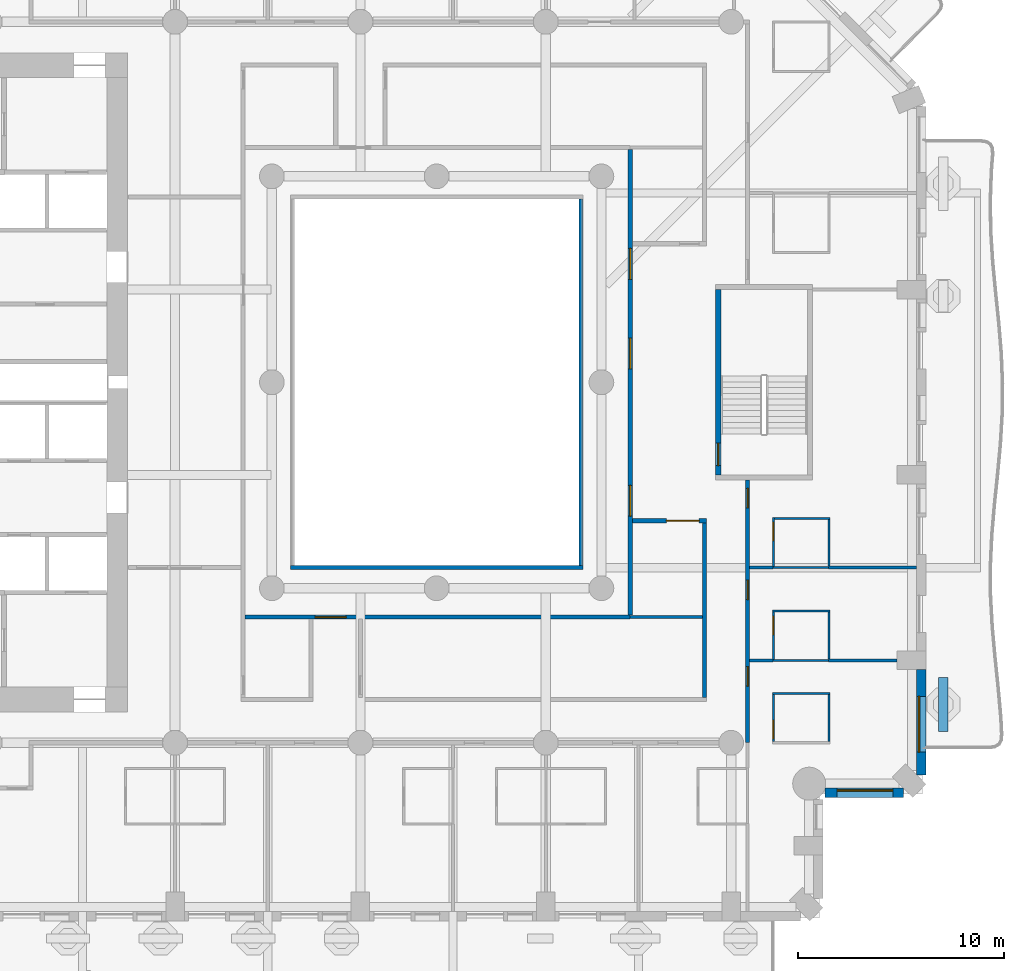
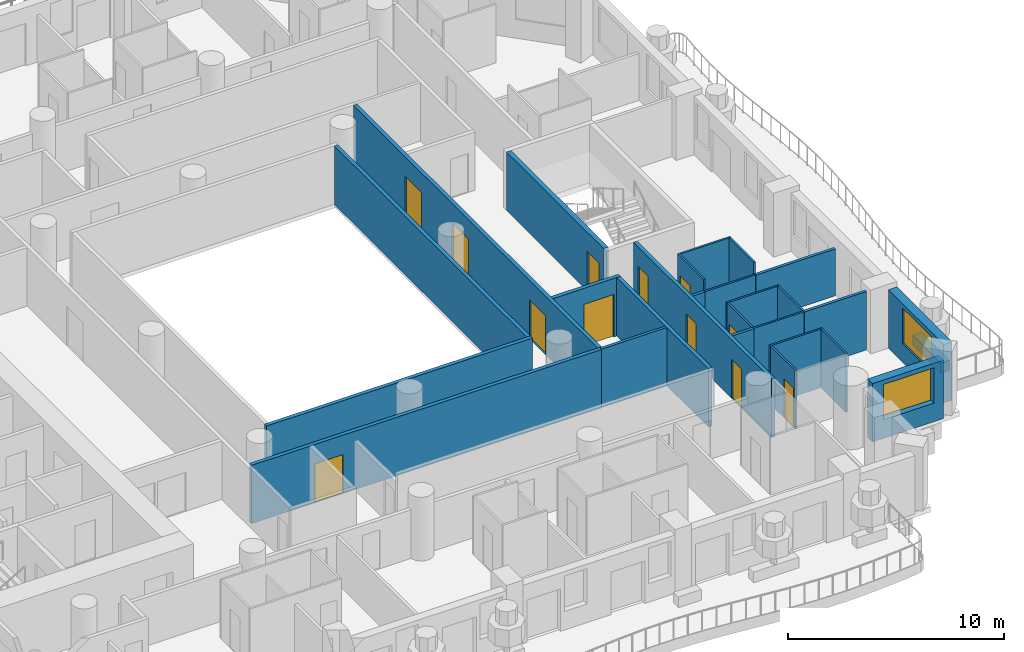
# One storey, part 6 of 20: 27 walls, 12 doors, 2 windows, 14 openings.
"""IFC4 building model written with IfcOpenShell, lengths in metres."""

from ifc_helpers import new_model, si_unit, direction, frame, frame_2d, origin, place, context, subcontext, project, spatial, rectangle, extrude, material, layer, layer_set, type_object, element, fill, save


model = new_model("IFC4")

# Units and contexts
model_context = context("Model", 3, precision=1e-05, world=origin(), true_north=direction((0.0, 1.0)))
body_context = subcontext(model_context, "Body", "Model", "MODEL_VIEW")
ifc_project = project(units=[si_unit("LENGTHUNIT", "METRE"), si_unit("AREAUNIT", "SQUARE_METRE"), si_unit("VOLUMEUNIT", "CUBIC_METRE"), si_unit("PLANEANGLEUNIT", "RADIAN"), si_unit("MASSUNIT", "GRAM", prefix="KILO")], contexts=[model_context])

# Site, building, storey
site_placement = place(None, origin())
site = spatial("IfcSite", under=ifc_project, at=site_placement, CompositionType="ELEMENT")
building_placement = place(site_placement, origin())
building = spatial("IfcBuilding", under=site, at=building_placement, Name="Cypress Arch Tower", CompositionType="ELEMENT")
storey_placement = place(building_placement, frame((0.0, 0.0, 55.5)))
storey = spatial("IfcBuildingStorey", under=building, at=storey_placement, Name="L07", CompositionType="ELEMENT", Elevation=55.5)

# Wall
ifc_material_1 = material(Name="Concrete C40/50, waterproofed", Category="concrete")
ifc_layer_1 = layer(ifc_material_1, 0.449951171875)
ifc_layer_set_1 = layer_set([ifc_layer_1], Name="Balcony planter wall PW450")
wall_type_1 = type_object("IfcWallType", Name="Balcony planter wall PW450", PredefinedType="SOLIDWALL", material=ifc_layer_set_1)
wall_1_placement = place(storey_placement, frame((25.60009765625, -16.949951171875, 0.0), z_axis=(0.0, 0.0, 1.0), x_axis=(0.0, 1.0, 0.0)))
element("IfcWall", 1, at=wall_1_placement, inside=storey, type_object=wall_type_1, Name="Balcony planter wall L07-A06.1", PredefinedType="SOLIDWALL", context=body_context, shape_type="SweptSolid", body=[
    extrude(rectangle(XDim=2.6142578125, YDim=0.449951171875, at=frame_2d((1.30712890625, 0.0))), origin(), (0.0, 0.0, 1.0), 0.60009765625),
])

# Wall, opening, window
ifc_material_2 = material(Name="Brick (red buff blend)", Category="masonry")
ifc_layer_2 = layer(ifc_material_2, 0.449951171875)
ifc_layer_set_2 = layer_set([ifc_layer_2], Name="Brick pier and spandrel wall BW450")
wall_type_2 = type_object("IfcWallType", Name="Brick pier and spandrel wall BW450", PredefinedType="SOLIDWALL", material=ifc_layer_set_2)
wall_2_placement = place(storey_placement, frame((19.8583984375, -19.925048828125, 0.0), z_axis=(0.0, 0.0, 1.0), x_axis=(1.0, 0.0, 0.0)))
wall_2 = element("IfcWall", 2, at=wall_2_placement, inside=storey, type_object=wall_type_2, Name="Brick wall L07 A05.0", PredefinedType="SOLIDWALL", context=body_context, shape_type="SweptSolid", body=[
    extrude(rectangle(XDim=3.80517578125, YDim=0.449951171875, at=frame_2d((1.902587890625, 0.0))), origin(), (0.0, 0.0, 1.0), 3.300048828125),
])
opening_1_placement = place(wall_2_placement, frame((0.591552734375, 0.0, 1.050048828125)))
opening_1 = element("IfcOpeningElement", 3, at=opening_1_placement, cuts=wall_2, Name="Opening W270H", PredefinedType="OPENING", context=body_context, shape_type="SweptSolid", body=[
    extrude(rectangle(XDim=2.699951171875, YDim=2.0, at=frame_2d((1.35009765625, 1.0))), frame((0.0, 0.23486328125, 0.0), z_axis=(0.0, -1.0, 0.0), x_axis=(1.0, 0.0, 0.0)), (0.0, 0.0, 1.0), 0.469970703125),
])
ifc_material_3 = material(Name="Anodised aluminium, bronze finish, clear low-emissivity double glazing", Category="aluminium")
window_type_1 = type_object("IfcWindowType", Name="Window Hotel 2700x2000", PartitioningType="SINGLE_PANEL", PredefinedType="WINDOW", material=ifc_material_3)
window_1_placement = place(opening_1_placement, origin())
window_1 = element("IfcWindow", 4, at=window_1_placement, inside=storey, type_object=window_type_1, Name="Window L07 A05.0.1", OverallHeight=2.0, OverallWidth=2.699951171875, PartitioningType="SINGLE_PANEL", PredefinedType="WINDOW", context=body_context, shape_type="SweptSolid", body=[
    extrude(rectangle(XDim=2.699951171875, YDim=2.0, at=frame_2d((1.35009765625, 1.0))), frame((0.0, 0.135009765625, 0.0), z_axis=(0.0, -1.0, 0.0), x_axis=(1.0, 0.0, 0.0)), (0.0, 0.0, 1.0), 0.06005859375),
])
fill(opening_1, window_1)

wall_3_placement = place(storey_placement, frame((24.52490234375, -19.063720703125, 0.0), z_axis=(0.0, 0.0, 1.0), x_axis=(0.0, 1.0, 0.0)))
wall_3 = element("IfcWall", 5, at=wall_3_placement, inside=storey, type_object=wall_type_2, Name="Brick wall L07 A06.0", PredefinedType="SOLIDWALL", context=body_context, shape_type="SweptSolid", body=[
    extrude(rectangle(XDim=5.11376953125, YDim=0.449951171875, at=frame_2d((2.556884765625, 0.0))), origin(), (0.0, 0.0, 1.0), 3.300048828125),
])
opening_2_placement = place(wall_3_placement, frame((1.113525390625, 0.0, 1.050048828125)))
opening_2 = element("IfcOpeningElement", 6, at=opening_2_placement, cuts=wall_3, Name="Opening W270HD", PredefinedType="OPENING", context=body_context, shape_type="SweptSolid", body=[
    extrude(rectangle(XDim=2.699951171875, YDim=2.0, at=frame_2d((1.35009765625, 1.0))), frame((0.0, 0.23486328125, 0.0), z_axis=(0.0, -1.0, 0.0), x_axis=(1.0, 0.0, 0.0)), (0.0, 0.0, 1.0), 0.469970703125),
])
ifc_material_4 = material(Name="Anodised aluminium, bronze finish, laminated low-emissivity double glazing, large-missile impact rated", Category="aluminium")
window_type_2 = type_object("IfcWindowType", Name="Window Hotel 2700x2000 debris-rated", PartitioningType="SINGLE_PANEL", PredefinedType="WINDOW", material=ifc_material_4)
window_2_placement = place(opening_2_placement, origin())
window_2 = element("IfcWindow", 7, at=window_2_placement, inside=storey, type_object=window_type_2, Name="Window L07 A06.0.1", OverallHeight=2.0, OverallWidth=2.699951171875, PartitioningType="SINGLE_PANEL", PredefinedType="WINDOW", context=body_context, shape_type="SweptSolid", body=[
    extrude(rectangle(XDim=2.699951171875, YDim=2.0, at=frame_2d((1.35009765625, 1.0))), frame((0.0, 0.135009765625, 0.0), z_axis=(0.0, -1.0, 0.0), x_axis=(1.0, 0.0, 0.0)), (0.0, 0.0, 1.0), 0.06005859375),
])
fill(opening_2, window_2)

# Wall, opening, door
ifc_material_5 = material(Name="Concrete blockwork, plastered, rated", Category="masonry")
ifc_layer_3 = layer(ifc_material_5, 0.199951171875)
ifc_layer_set_3 = layer_set([ifc_layer_3], Name="Corridor wall FW200")
wall_type_3 = type_object("IfcWallType", Name="Corridor wall FW200", PredefinedType="PARTITIONING", material=ifc_layer_set_3)
wall_4_placement = place(storey_placement, frame((-8.300048828125, -11.39990234375, 0.0), z_axis=(0.0, 0.0, 1.0), x_axis=(1.0, 0.0, 0.0)))
wall_4 = element("IfcWall", 8, at=wall_4_placement, inside=storey, type_object=wall_type_3, Name="Corridor wall", PredefinedType="PARTITIONING", context=body_context, shape_type="SweptSolid", body=[
    extrude(rectangle(XDim=18.699951171875, YDim=0.199951171875, at=frame_2d((9.35009765625, 0.0))), origin(), (0.0, 0.0, 1.0), 3.300048828125),
])
opening_3_placement = place(wall_4_placement, frame((3.39990234375, 0.0, 0.0)))
opening_3 = element("IfcOpeningElement", 9, at=opening_3_placement, cuts=wall_4, Name="Opening D04", PredefinedType="OPENING", context=body_context, shape_type="SweptSolid", body=[
    extrude(rectangle(XDim=1.5, YDim=2.199951171875, at=frame_2d((0.75, 1.10009765625))), frame((0.0, 0.10986328125, 0.0), z_axis=(0.0, -1.0, 0.0), x_axis=(1.0, 0.0, 0.0)), (0.0, 0.0, 1.0), 0.219970703125),
])
ifc_material_6 = material(Name="Timber double door", Category="wood")
door_type_1 = type_object("IfcDoorType", Name="Double door D04 1500x2200", OperationType="DOUBLE_DOOR_SINGLE_SWING", PredefinedType="DOOR", material=ifc_material_6)
door_1_placement = place(opening_3_placement, origin())
door_1 = element("IfcDoor", 10, at=door_1_placement, inside=storey, type_object=door_type_1, Name="Double door", OperationType="DOUBLE_DOOR_SINGLE_SWING", OverallHeight=2.199951171875, OverallWidth=1.5, PredefinedType="DOOR", context=body_context, shape_type="SweptSolid", body=[
    extrude(rectangle(XDim=1.5, YDim=2.199951171875, at=frame_2d((0.75, 1.10009765625))), frame((0.0, 0.02490234375, 0.0), z_axis=(0.0, -1.0, 0.0), x_axis=(1.0, 0.0, 0.0)), (0.0, 0.0, 1.0), 0.050048828125),
])
fill(opening_3, door_1)

# Walls
wall_5_placement = place(storey_placement, frame((-6.10009765625, -9.0, 0.0), z_axis=(0.0, 0.0, 1.0), x_axis=(1.0, 0.0, 0.0)))
element("IfcWall", 11, at=wall_5_placement, inside=storey, type_object=wall_type_3, Name="Corridor wall", PredefinedType="PARTITIONING", context=body_context, shape_type="SweptSolid", body=[
    extrude(rectangle(XDim=14.2001953125, YDim=0.199951171875, at=frame_2d((7.10009765625, 0.0))), origin(), (0.0, 0.0, 1.0), 3.300048828125),
])
wall_6_placement = place(storey_placement, frame((8.0, -8.89990234375, 0.0), z_axis=(0.0, 0.0, 1.0), x_axis=(0.0, 1.0, 0.0)))
element("IfcWall", 12, at=wall_6_placement, inside=storey, type_object=wall_type_3, Name="Corridor wall", PredefinedType="PARTITIONING", context=body_context, shape_type="SweptSolid", body=[
    extrude(rectangle(XDim=17.7998046875, YDim=0.199951171875, at=frame_2d((8.89990234375, 0.0))), origin(), (0.0, 0.0, 1.0), 3.300048828125),
])

# Wall, openings, doors
wall_7_placement = place(storey_placement, frame((10.39990234375, -11.300048828125, 0.0), z_axis=(0.0, 0.0, 1.0), x_axis=(0.0, 1.0, 0.0)))
wall_7 = element("IfcWall", 13, at=wall_7_placement, inside=storey, type_object=wall_type_3, Name="Corridor wall", PredefinedType="PARTITIONING", context=body_context, shape_type="SweptSolid", body=[
    extrude(rectangle(XDim=22.60009765625, YDim=0.199951171875, at=frame_2d((11.300048828125, 0.0))), origin(), (0.0, 0.0, 1.0), 3.300048828125),
])
opening_4_placement = place(wall_7_placement, frame((4.800048828125, 0.0, 0.0)))
opening_4 = element("IfcOpeningElement", 14, at=opening_4_placement, cuts=wall_7, Name="Opening D04", PredefinedType="OPENING", context=body_context, shape_type="SweptSolid", body=[
    extrude(rectangle(XDim=1.5, YDim=2.199951171875, at=frame_2d((0.75, 1.10009765625))), frame((0.0, 0.10986328125, 0.0), z_axis=(0.0, -1.0, 0.0), x_axis=(1.0, 0.0, 0.0)), (0.0, 0.0, 1.0), 0.219970703125),
])
opening_5_placement = place(wall_7_placement, frame((16.300048828125, 0.0, 0.0)))
opening_5 = element("IfcOpeningElement", 15, at=opening_5_placement, cuts=wall_7, Name="Opening D04", PredefinedType="OPENING", context=body_context, shape_type="SweptSolid", body=[
    extrude(rectangle(XDim=1.5, YDim=2.199951171875, at=frame_2d((0.75, 1.10009765625))), frame((0.0, 0.10986328125, 0.0), z_axis=(0.0, -1.0, 0.0), x_axis=(1.0, 0.0, 0.0)), (0.0, 0.0, 1.0), 0.219970703125),
])
opening_6_placement = place(wall_7_placement, frame((11.949951171875, 0.0, 0.0)))
opening_6 = element("IfcOpeningElement", 16, at=opening_6_placement, cuts=wall_7, Name="Opening D04", PredefinedType="OPENING", context=body_context, shape_type="SweptSolid", body=[
    extrude(rectangle(XDim=1.5, YDim=2.199951171875, at=frame_2d((0.75, 1.10009765625))), frame((0.0, 0.10986328125, 0.0), z_axis=(0.0, -1.0, 0.0), x_axis=(1.0, 0.0, 0.0)), (0.0, 0.0, 1.0), 0.219970703125),
])
door_2_placement = place(opening_4_placement, origin())
door_2 = element("IfcDoor", 17, at=door_2_placement, inside=storey, type_object=door_type_1, Name="Double door", OperationType="DOUBLE_DOOR_SINGLE_SWING", OverallHeight=2.199951171875, OverallWidth=1.5, PredefinedType="DOOR", context=body_context, shape_type="SweptSolid", body=[
    extrude(rectangle(XDim=1.5, YDim=2.199951171875, at=frame_2d((0.75, 1.10009765625))), frame((0.0, 0.02490234375, 0.0), z_axis=(0.0, -1.0, 0.0), x_axis=(1.0, 0.0, 0.0)), (0.0, 0.0, 1.0), 0.050048828125),
])
fill(opening_4, door_2)
door_3_placement = place(opening_5_placement, origin())
door_3 = element("IfcDoor", 18, at=door_3_placement, inside=storey, type_object=door_type_1, Name="Double door", OperationType="DOUBLE_DOOR_SINGLE_SWING", OverallHeight=2.199951171875, OverallWidth=1.5, PredefinedType="DOOR", context=body_context, shape_type="SweptSolid", body=[
    extrude(rectangle(XDim=1.5, YDim=2.199951171875, at=frame_2d((0.75, 1.10009765625))), frame((0.0, 0.02490234375, 0.0), z_axis=(0.0, -1.0, 0.0), x_axis=(1.0, 0.0, 0.0)), (0.0, 0.0, 1.0), 0.050048828125),
])
fill(opening_5, door_3)
door_4_placement = place(opening_6_placement, origin())
door_4 = element("IfcDoor", 19, at=door_4_placement, inside=storey, type_object=door_type_1, Name="Double door", OperationType="DOUBLE_DOOR_SINGLE_SWING", OverallHeight=2.199951171875, OverallWidth=1.5, PredefinedType="DOOR", context=body_context, shape_type="SweptSolid", body=[
    extrude(rectangle(XDim=1.5, YDim=2.199951171875, at=frame_2d((0.75, 1.10009765625))), frame((0.0, 0.02490234375, 0.0), z_axis=(0.0, -1.0, 0.0), x_axis=(1.0, 0.0, 0.0)), (0.0, 0.0, 1.0), 0.050048828125),
])
fill(opening_6, door_4)

# Wall, opening, door
wall_8_placement = place(storey_placement, frame((10.5, -6.72509765625, 0.0), z_axis=(0.0, 0.0, 1.0), x_axis=(1.0, 0.0, 0.0)))
wall_8 = element("IfcWall", 20, at=wall_8_placement, inside=storey, type_object=wall_type_3, Name="Corridor wall", PredefinedType="PARTITIONING", context=body_context, shape_type="SweptSolid", body=[
    extrude(rectangle(XDim=3.60009765625, YDim=0.199951171875, at=frame_2d((1.800048828125, 0.0))), origin(), (0.0, 0.0, 1.0), 3.300048828125),
])
opening_7_placement = place(wall_8_placement, frame((1.64990234375, 0.0, 0.0)))
opening_7 = element("IfcOpeningElement", 21, at=opening_7_placement, cuts=wall_8, Name="Opening D10", PredefinedType="OPENING", context=body_context, shape_type="SweptSolid", body=[
    extrude(rectangle(XDim=1.60009765625, YDim=2.39990234375, at=frame_2d((0.800048828125, 1.199951171875))), frame((0.0, 0.10986328125, 0.0), z_axis=(0.0, -1.0, 0.0), x_axis=(1.0, 0.0, 0.0)), (0.0, 0.0, 1.0), 0.219970703125),
])
ifc_material_7 = material(Name="Black aluminium glazed door", Category="aluminium")
door_type_2 = type_object("IfcDoorType", Name="Amenity door D10 1600x2400", OperationType="DOUBLE_DOOR_SINGLE_SWING", PredefinedType="DOOR", material=ifc_material_7)
door_5_placement = place(opening_7_placement, origin())
door_5 = element("IfcDoor", 22, at=door_5_placement, inside=storey, type_object=door_type_2, Name="Amenity door", OperationType="DOUBLE_DOOR_SINGLE_SWING", OverallHeight=2.39990234375, OverallWidth=1.60009765625, PredefinedType="DOOR", context=body_context, shape_type="SweptSolid", body=[
    extrude(rectangle(XDim=1.60009765625, YDim=2.39990234375, at=frame_2d((0.800048828125, 1.199951171875))), frame((0.0, 0.02490234375, 0.0), z_axis=(0.0, -1.0, 0.0), x_axis=(1.0, 0.0, 0.0)), (0.0, 0.0, 1.0), 0.050048828125),
])
fill(opening_7, door_5)

# Wall
wall_9_placement = place(storey_placement, frame((14.0, -15.300048828125, 0.0), z_axis=(0.0, 0.0, 1.0), x_axis=(0.0, 1.0, 0.0)))
element("IfcWall", 23, at=wall_9_placement, inside=storey, type_object=wall_type_3, Name="Corridor wall", PredefinedType="PARTITIONING", context=body_context, shape_type="SweptSolid", body=[
    extrude(rectangle(XDim=8.47509765625, YDim=0.199951171875, at=frame_2d((4.237548828125, 0.0))), origin(), (0.0, 0.0, 1.0), 3.300048828125),
])

# Wall, openings, doors
wall_10_placement = place(storey_placement, frame((16.10009765625, -17.5, 0.0), z_axis=(0.0, 0.0, 1.0), x_axis=(0.0, 1.0, 0.0)))
wall_10 = element("IfcWall", 24, at=wall_10_placement, inside=storey, type_object=wall_type_3, Name="Corridor wall", PredefinedType="PARTITIONING", context=body_context, shape_type="SweptSolid", body=[
    extrude(rectangle(XDim=12.75, YDim=0.199951171875, at=frame_2d((6.375, 0.0))), origin(), (0.0, 0.0, 1.0), 3.300048828125),
])
opening_8_placement = place(wall_10_placement, frame((2.75, 0.0, 0.0)))
opening_8 = element("IfcOpeningElement", 25, at=opening_8_placement, cuts=wall_10, Name="Opening D02", PredefinedType="OPENING", context=body_context, shape_type="SweptSolid", body=[
    extrude(rectangle(XDim=0.949951171875, YDim=2.199951171875, at=frame_2d((0.47509765625, 1.10009765625))), frame((0.0, 0.10986328125, 0.0), z_axis=(0.0, -1.0, 0.0), x_axis=(1.0, 0.0, 0.0)), (0.0, 0.0, 1.0), 0.219970703125),
])
opening_9_placement = place(wall_10_placement, frame((6.949951171875, 0.0, 0.0)))
opening_9 = element("IfcOpeningElement", 26, at=opening_9_placement, cuts=wall_10, Name="Opening D02", PredefinedType="OPENING", context=body_context, shape_type="SweptSolid", body=[
    extrude(rectangle(XDim=0.949951171875, YDim=2.199951171875, at=frame_2d((0.47509765625, 1.10009765625))), frame((0.0, 0.10986328125, 0.0), z_axis=(0.0, -1.0, 0.0), x_axis=(1.0, 0.0, 0.0)), (0.0, 0.0, 1.0), 0.219970703125),
])
opening_10_placement = place(wall_10_placement, frame((11.39990234375, 0.0, 0.0)))
opening_10 = element("IfcOpeningElement", 27, at=opening_10_placement, cuts=wall_10, Name="Opening D02", PredefinedType="OPENING", context=body_context, shape_type="SweptSolid", body=[
    extrude(rectangle(XDim=0.949951171875, YDim=2.199951171875, at=frame_2d((0.47509765625, 1.10009765625))), frame((0.0, 0.10986328125, 0.0), z_axis=(0.0, -1.0, 0.0), x_axis=(1.0, 0.0, 0.0)), (0.0, 0.0, 1.0), 0.219970703125),
])
ifc_material_8 = material(Name="Timber flush door, fire resisting", Category="wood")
door_type_3 = type_object("IfcDoorType", Name="Room door D02 950x2200", OperationType="SINGLE_SWING_LEFT", PredefinedType="DOOR", material=ifc_material_8)
door_6_placement = place(opening_8_placement, origin())
door_6 = element("IfcDoor", 28, at=door_6_placement, inside=storey, type_object=door_type_3, Name="Room door", OperationType="SINGLE_SWING_LEFT", OverallHeight=2.199951171875, OverallWidth=0.949951171875, PredefinedType="DOOR", context=body_context, shape_type="SweptSolid", body=[
    extrude(rectangle(XDim=0.949951171875, YDim=2.199951171875, at=frame_2d((0.47509765625, 1.10009765625))), frame((0.0, 0.02490234375, 0.0), z_axis=(0.0, -1.0, 0.0), x_axis=(1.0, 0.0, 0.0)), (0.0, 0.0, 1.0), 0.050048828125),
])
fill(opening_8, door_6)
door_7_placement = place(opening_9_placement, origin())
door_7 = element("IfcDoor", 29, at=door_7_placement, inside=storey, type_object=door_type_3, Name="Room door", OperationType="SINGLE_SWING_LEFT", OverallHeight=2.199951171875, OverallWidth=0.949951171875, PredefinedType="DOOR", context=body_context, shape_type="SweptSolid", body=[
    extrude(rectangle(XDim=0.949951171875, YDim=2.199951171875, at=frame_2d((0.47509765625, 1.10009765625))), frame((0.0, 0.02490234375, 0.0), z_axis=(0.0, -1.0, 0.0), x_axis=(1.0, 0.0, 0.0)), (0.0, 0.0, 1.0), 0.050048828125),
])
fill(opening_9, door_7)
door_8_placement = place(opening_10_placement, origin())
door_8 = element("IfcDoor", 30, at=door_8_placement, inside=storey, type_object=door_type_3, Name="Room door", OperationType="SINGLE_SWING_LEFT", OverallHeight=2.199951171875, OverallWidth=0.949951171875, PredefinedType="DOOR", context=body_context, shape_type="SweptSolid", body=[
    extrude(rectangle(XDim=0.949951171875, YDim=2.199951171875, at=frame_2d((0.47509765625, 1.10009765625))), frame((0.0, 0.02490234375, 0.0), z_axis=(0.0, -1.0, 0.0), x_axis=(1.0, 0.0, 0.0)), (0.0, 0.0, 1.0), 0.050048828125),
])
fill(opening_10, door_8)

# Walls
ifc_material_9 = material(Name="Blockwork, plastered both sides", Category="masonry")
ifc_layer_4 = layer(ifc_material_9, 0.14990234375)
ifc_layer_set_4 = layer_set([ifc_layer_4], Name="Partition PW150")
wall_type_4 = type_object("IfcWallType", Name="Partition PW150", PredefinedType="PARTITIONING", material=ifc_layer_set_4)
wall_11_placement = place(storey_placement, frame((10.39990234375, -11.39990234375, 0.0), z_axis=(0.0, 0.0, 1.0), x_axis=(1.0, 0.0, 0.0)))
element("IfcWall", 31, at=wall_11_placement, inside=storey, type_object=wall_type_4, Name="Partition", PredefinedType="PARTITIONING", context=body_context, shape_type="SweptSolid", body=[
    extrude(rectangle(XDim=3.5, YDim=0.14990234375, at=frame_2d((1.75, 0.0))), origin(), (0.0, 0.0, 1.0), 3.300048828125),
])
wall_12_placement = place(storey_placement, frame((16.199951171875, -13.5, 0.0), z_axis=(0.0, 0.0, 1.0), x_axis=(1.0, 0.0, 0.0)))
element("IfcWall", 32, at=wall_12_placement, inside=storey, type_object=wall_type_4, Name="Partition", PredefinedType="PARTITIONING", context=body_context, shape_type="SweptSolid", body=[
    extrude(rectangle(XDim=1.130126953125, YDim=0.14990234375, at=frame_2d((0.56494140625, 0.0))), origin(), (0.0, 0.0, 1.0), 3.300048828125),
])
wall_13_placement = place(storey_placement, frame((16.199951171875, -9.0, 0.0), z_axis=(0.0, 0.0, 1.0), x_axis=(1.0, 0.0, 0.0)))
element("IfcWall", 33, at=wall_13_placement, inside=storey, type_object=wall_type_4, Name="Partition", PredefinedType="PARTITIONING", context=body_context, shape_type="SweptSolid", body=[
    extrude(rectangle(XDim=1.130126953125, YDim=0.14990234375, at=frame_2d((0.56494140625, 0.0))), origin(), (0.0, 0.0, 1.0), 2.64990234375),
])
wall_14_placement = place(storey_placement, frame((20.030029296875, -13.5, 0.0), z_axis=(0.0, 0.0, 1.0), x_axis=(1.0, 0.0, 0.0)))
element("IfcWall", 34, at=wall_14_placement, inside=storey, type_object=wall_type_4, Name="Partition", PredefinedType="PARTITIONING", context=body_context, shape_type="SweptSolid", body=[
    extrude(rectangle(XDim=3.320068359375, YDim=0.14990234375, at=frame_2d((1.66015625, 0.0))), origin(), (0.0, 0.0, 1.0), 3.300048828125),
])
wall_15_placement = place(storey_placement, frame((20.030029296875, -9.0, 0.0), z_axis=(0.0, 0.0, 1.0), x_axis=(1.0, 0.0, 0.0)))
element("IfcWall", 35, at=wall_15_placement, inside=storey, type_object=wall_type_4, Name="Partition", PredefinedType="PARTITIONING", context=body_context, shape_type="SweptSolid", body=[
    extrude(rectangle(XDim=4.27001953125, YDim=0.14990234375, at=frame_2d((2.135009765625, 0.0))), origin(), (0.0, 0.0, 1.0), 2.64990234375),
])

# Wall, opening, door
ifc_material_10 = material(Name="Concrete C50/60", Category="concrete")
ifc_layer_5 = layer(ifc_material_10, 0.25)
ifc_layer_set_5 = layer_set([ifc_layer_5], Name="Stair enclosure wall SW250")
wall_type_5 = type_object("IfcWallType", Name="Stair enclosure wall SW250", PredefinedType="SHEAR", material=ifc_layer_set_5)
wall_16_placement = place(storey_placement, frame((14.675048828125, -4.5, 0.0), z_axis=(0.0, 0.0, 1.0), x_axis=(0.0, 1.0, 0.0)))
wall_16 = element("IfcWall", 36, at=wall_16_placement, inside=storey, type_object=wall_type_5, Name="Stair enclosure wall", PredefinedType="SHEAR", context=body_context, shape_type="SweptSolid", body=[
    extrude(rectangle(XDim=9.0, YDim=0.25, at=frame_2d((4.5, 0.0))), origin(), (0.0, 0.0, 1.0), 3.300048828125),
])
opening_11_placement = place(wall_16_placement, frame((0.449951171875, 0.0, 0.0)))
opening_11 = element("IfcOpeningElement", 37, at=opening_11_placement, cuts=wall_16, Name="Opening D06", PredefinedType="OPENING", context=body_context, shape_type="SweptSolid", body=[
    extrude(rectangle(XDim=1.10009765625, YDim=2.199951171875, at=frame_2d((0.550048828125, 1.10009765625))), frame((0.0, 0.135009765625, 0.0), z_axis=(0.0, -1.0, 0.0), x_axis=(1.0, 0.0, 0.0)), (0.0, 0.0, 1.0), 0.27001953125),
])
ifc_material_11 = material(Name="Steel door, fire resisting, panic bar", Category="steel")
door_type_4 = type_object("IfcDoorType", Name="Stair door D06 1100x2200", OperationType="SINGLE_SWING_LEFT", PredefinedType="DOOR", material=ifc_material_11)
door_9_placement = place(opening_11_placement, origin())
door_9 = element("IfcDoor", 38, at=door_9_placement, inside=storey, type_object=door_type_4, Name="Stair door", OperationType="SINGLE_SWING_RIGHT", OverallHeight=2.199951171875, OverallWidth=1.10009765625, PredefinedType="DOOR", context=body_context, shape_type="SweptSolid", body=[
    extrude(rectangle(XDim=1.10009765625, YDim=2.199951171875, at=frame_2d((0.550048828125, 1.10009765625))), frame((0.0, 0.02490234375, 0.0), z_axis=(0.0, -1.0, 0.0), x_axis=(1.0, 0.0, 0.0)), (0.0, 0.0, 1.0), 0.050048828125),
])
fill(opening_11, door_9)

# Walls
ifc_material_12 = material(Name="Moisture resistant board on steel studs, tiled", Category="steel")
ifc_layer_6 = layer(ifc_material_12, 0.10009765625)
ifc_layer_set_6 = layer_set([ifc_layer_6], Name="Wet wall PW100")
wall_type_6 = type_object("IfcWallType", Name="Wet wall PW100", PredefinedType="PARTITIONING", material=ifc_layer_set_6)
wall_17_placement = place(storey_placement, frame((17.330078125, -13.5, 0.0), z_axis=(0.0, 0.0, 1.0), x_axis=(1.0, 0.0, 0.0)))
element("IfcWall", 39, at=wall_17_placement, inside=storey, type_object=wall_type_6, Name="Wet wall", PredefinedType="PARTITIONING", context=body_context, shape_type="SweptSolid", body=[
    extrude(rectangle(XDim=2.699951171875, YDim=0.10009765625, at=frame_2d((1.35009765625, 0.0))), origin(), (0.0, 0.0, 1.0), 3.300048828125),
])
wall_18_placement = place(storey_placement, frame((17.330078125, -9.0, 0.0), z_axis=(0.0, 0.0, 1.0), x_axis=(1.0, 0.0, 0.0)))
element("IfcWall", 40, at=wall_18_placement, inside=storey, type_object=wall_type_6, Name="Wet wall", PredefinedType="PARTITIONING", context=body_context, shape_type="SweptSolid", body=[
    extrude(rectangle(XDim=2.699951171875, YDim=0.10009765625, at=frame_2d((1.35009765625, 0.0))), origin(), (0.0, 0.0, 1.0), 2.64990234375),
])

# Wall, opening, door
wall_19_placement = place(storey_placement, frame((17.35009765625, -17.449951171875, 0.0), z_axis=(0.0, 0.0, 1.0), x_axis=(0.0, 1.0, 0.0)))
wall_19 = element("IfcWall", 41, at=wall_19_placement, inside=storey, type_object=wall_type_6, Name="Wet wall", PredefinedType="PARTITIONING", context=body_context, shape_type="SweptSolid", body=[
    extrude(rectangle(XDim=2.300048828125, YDim=0.10009765625, at=frame_2d((1.14990234375, 0.0))), origin(), (0.0, 0.0, 1.0), 3.300048828125),
])
opening_12_placement = place(wall_19_placement, frame((0.14990234375, 0.0, 0.0)))
opening_12 = element("IfcOpeningElement", 42, at=opening_12_placement, cuts=wall_19, Name="Opening D03", PredefinedType="OPENING", context=body_context, shape_type="SweptSolid", body=[
    extrude(rectangle(XDim=0.89990234375, YDim=2.199951171875, at=frame_2d((0.449951171875, 1.10009765625))), frame((0.0, 0.06005859375, 0.0), z_axis=(0.0, -1.0, 0.0), x_axis=(1.0, 0.0, 0.0)), (0.0, 0.0, 1.0), 0.1201171875),
])
ifc_material_13 = material(Name="Timber flush door, moisture resistant", Category="wood")
door_type_5 = type_object("IfcDoorType", Name="Bathroom door D03 900x2200", OperationType="SINGLE_SWING_LEFT", PredefinedType="DOOR", material=ifc_material_13)
door_10_placement = place(opening_12_placement, origin())
door_10 = element("IfcDoor", 43, at=door_10_placement, inside=storey, type_object=door_type_5, Name="Bathroom door", OperationType="SINGLE_SWING_RIGHT", OverallHeight=2.199951171875, OverallWidth=0.89990234375, PredefinedType="DOOR", context=body_context, shape_type="SweptSolid", body=[
    extrude(rectangle(XDim=0.89990234375, YDim=2.199951171875, at=frame_2d((0.449951171875, 1.10009765625))), frame((0.0, 0.02490234375, 0.0), z_axis=(0.0, -1.0, 0.0), x_axis=(1.0, 0.0, 0.0)), (0.0, 0.0, 1.0), 0.050048828125),
])
fill(opening_12, door_10)

# Wall
wall_20_placement = place(storey_placement, frame((17.300048828125, -15.10009765625, 0.0), z_axis=(0.0, 0.0, 1.0), x_axis=(1.0, 0.0, 0.0)))
element("IfcWall", 44, at=wall_20_placement, inside=storey, type_object=wall_type_6, Name="Wet wall", PredefinedType="PARTITIONING", context=body_context, shape_type="SweptSolid", body=[
    extrude(rectangle(XDim=2.800048828125, YDim=0.10009765625, at=frame_2d((1.39990234375, 0.0))), origin(), (0.0, 0.0, 1.0), 3.300048828125),
])

# Wall, opening, door
wall_21_placement = place(storey_placement, frame((17.35009765625, -13.449951171875, 0.0), z_axis=(0.0, 0.0, 1.0), x_axis=(0.0, 1.0, 0.0)))
wall_21 = element("IfcWall", 45, at=wall_21_placement, inside=storey, type_object=wall_type_6, Name="Wet wall", PredefinedType="PARTITIONING", context=body_context, shape_type="SweptSolid", body=[
    extrude(rectangle(XDim=2.2958984375, YDim=0.10009765625, at=frame_2d((1.14794921875, 0.0))), origin(), (0.0, 0.0, 1.0), 3.300048828125),
])
opening_13_placement = place(wall_21_placement, frame((1.199951171875, 0.0, 0.0)))
opening_13 = element("IfcOpeningElement", 46, at=opening_13_placement, cuts=wall_21, Name="Opening D03", PredefinedType="OPENING", context=body_context, shape_type="SweptSolid", body=[
    extrude(rectangle(XDim=0.89990234375, YDim=2.199951171875, at=frame_2d((0.449951171875, 1.10009765625))), frame((0.0, 0.06005859375, 0.0), z_axis=(0.0, -1.0, 0.0), x_axis=(1.0, 0.0, 0.0)), (0.0, 0.0, 1.0), 0.1201171875),
])
door_11_placement = place(opening_13_placement, origin())
door_11 = element("IfcDoor", 47, at=door_11_placement, inside=storey, type_object=door_type_5, Name="Bathroom door", OperationType="SINGLE_SWING_LEFT", OverallHeight=2.199951171875, OverallWidth=0.89990234375, PredefinedType="DOOR", context=body_context, shape_type="SweptSolid", body=[
    extrude(rectangle(XDim=0.89990234375, YDim=2.199951171875, at=frame_2d((0.449951171875, 1.10009765625))), frame((0.0, 0.02490234375, 0.0), z_axis=(0.0, -1.0, 0.0), x_axis=(1.0, 0.0, 0.0)), (0.0, 0.0, 1.0), 0.050048828125),
])
fill(opening_13, door_11)

# Wall
wall_22_placement = place(storey_placement, frame((17.300048828125, -11.10400390625, 0.0), z_axis=(0.0, 0.0, 1.0), x_axis=(1.0, 0.0, 0.0)))
element("IfcWall", 48, at=wall_22_placement, inside=storey, type_object=wall_type_6, Name="Wet wall", PredefinedType="PARTITIONING", context=body_context, shape_type="SweptSolid", body=[
    extrude(rectangle(XDim=2.800048828125, YDim=0.10009765625, at=frame_2d((1.39990234375, 0.0))), origin(), (0.0, 0.0, 1.0), 3.300048828125),
])

# Wall, opening, door
wall_23_placement = place(storey_placement, frame((17.35009765625, -8.949951171875, 0.0), z_axis=(0.0, 0.0, 1.0), x_axis=(0.000407580973, 0.999999916939, 0.0)))
wall_23 = element("IfcWall", 49, at=wall_23_placement, inside=storey, type_object=wall_type_6, Name="Wet wall", PredefinedType="PARTITIONING", context=body_context, shape_type="SweptSolid", body=[
    extrude(rectangle(XDim=2.39599609375, YDim=0.10009765625, at=frame_2d((1.197998046875, 0.0))), origin(), (0.0, 0.0, 1.0), 3.300048828125),
])
opening_14_placement = place(wall_23_placement, frame((1.25, 0.0, 0.0)))
opening_14 = element("IfcOpeningElement", 50, at=opening_14_placement, cuts=wall_23, Name="Opening D03", PredefinedType="OPENING", context=body_context, shape_type="SweptSolid", body=[
    extrude(rectangle(XDim=0.89990234375, YDim=2.199951171875, at=frame_2d((0.449951171875, 1.10009765625))), frame((0.0, 0.06005859375, 0.0), z_axis=(0.0, -1.0, 0.0), x_axis=(1.0, 0.0, 0.0)), (0.0, 0.0, 1.0), 0.1201171875),
])
door_12_placement = place(opening_14_placement, origin())
door_12 = element("IfcDoor", 51, at=door_12_placement, inside=storey, type_object=door_type_5, Name="Bathroom door", OperationType="SINGLE_SWING_LEFT", OverallHeight=2.199951171875, OverallWidth=0.89990234375, PredefinedType="DOOR", context=body_context, shape_type="SweptSolid", body=[
    extrude(rectangle(XDim=0.89990234375, YDim=2.199951171875, at=frame_2d((0.449951171875, 1.10009765625))), frame((0.0, 0.02490234375, 0.0), z_axis=(0.0, -1.0, 0.0), x_axis=(1.0, 0.0, 0.0)), (0.0, 0.0, 1.0), 0.050048828125),
])
fill(opening_14, door_12)

# Walls
wall_24_placement = place(storey_placement, frame((17.40087890625, -6.60400390625, 0.0), z_axis=(0.0, 0.0, 1.0), x_axis=(0.9999999346, -0.000361663629, 0.0)))
element("IfcWall", 52, at=wall_24_placement, inside=storey, type_object=wall_type_6, Name="Wet wall", PredefinedType="PARTITIONING", context=body_context, shape_type="SweptSolid", body=[
    extrude(rectangle(XDim=2.7001953125, YDim=0.10009765625, at=frame_2d((1.35009765625, 0.0))), origin(), (0.0, 0.0, 1.0), 3.300048828125),
])
wall_25_placement = place(storey_placement, frame((20.050048828125, -17.449951171875, 0.0), z_axis=(0.0, 0.0, 1.0), x_axis=(0.0, 1.0, 0.0)))
element("IfcWall", 53, at=wall_25_placement, inside=storey, type_object=wall_type_6, Name="Wet wall", PredefinedType="PARTITIONING", context=body_context, shape_type="SweptSolid", body=[
    extrude(rectangle(XDim=2.300048828125, YDim=0.10009765625, at=frame_2d((1.14990234375, 0.0))), origin(), (0.0, 0.0, 1.0), 3.300048828125),
])
wall_26_placement = place(storey_placement, frame((20.050048828125, -13.425048828125, 0.0), z_axis=(0.0, 0.0, 1.0), x_axis=(0.0, 1.0, 0.0)))
element("IfcWall", 54, at=wall_26_placement, inside=storey, type_object=wall_type_6, Name="Wet wall", PredefinedType="PARTITIONING", context=body_context, shape_type="SweptSolid", body=[
    extrude(rectangle(XDim=2.27099609375, YDim=0.10009765625, at=frame_2d((1.135498046875, 0.0))), origin(), (0.0, 0.0, 1.0), 3.300048828125),
])
wall_27_placement = place(storey_placement, frame((20.050048828125, -8.925048828125, 0.0), z_axis=(0.0, 0.0, 1.0), x_axis=(0.000430200003, 0.999999907464, 0.0)))
element("IfcWall", 55, at=wall_27_placement, inside=storey, type_object=wall_type_6, Name="Wet wall", PredefinedType="PARTITIONING", context=body_context, shape_type="SweptSolid", body=[
    extrude(rectangle(XDim=2.27001953125, YDim=0.10009765625, at=frame_2d((1.135009765625, 0.0))), origin(), (0.0, 0.0, 1.0), 3.300048828125),
])

save(model, "model.ifc")
